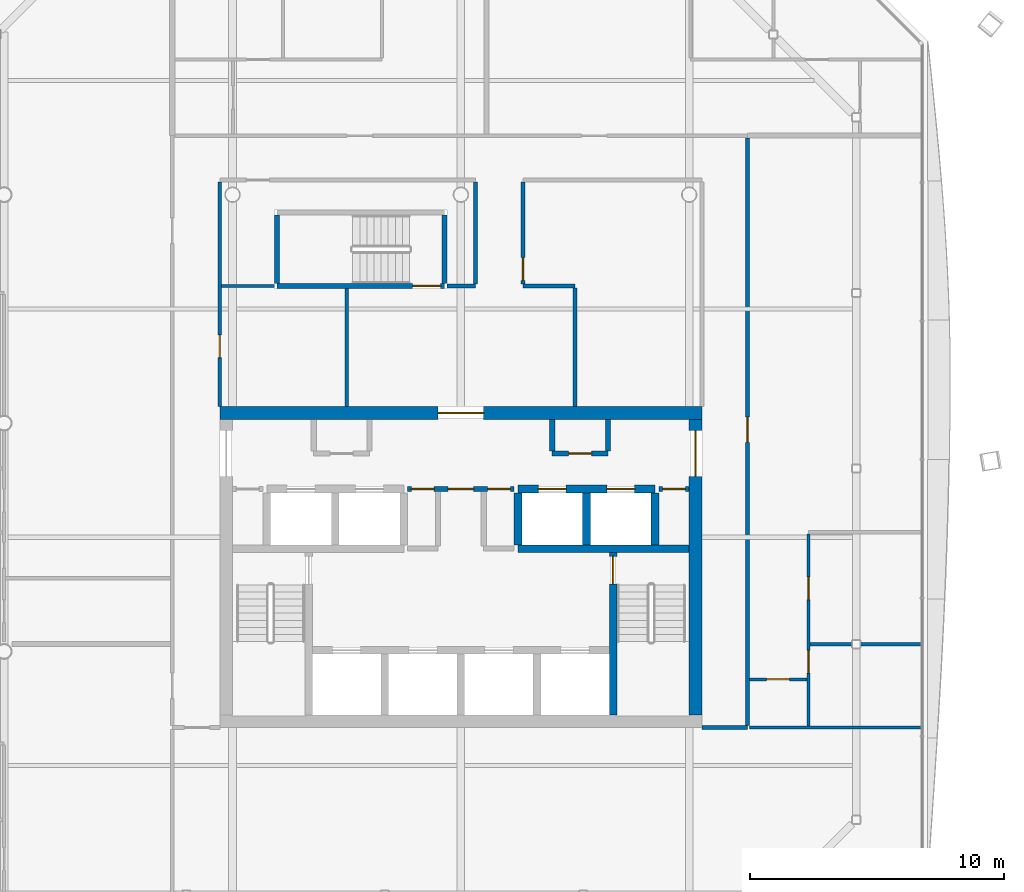
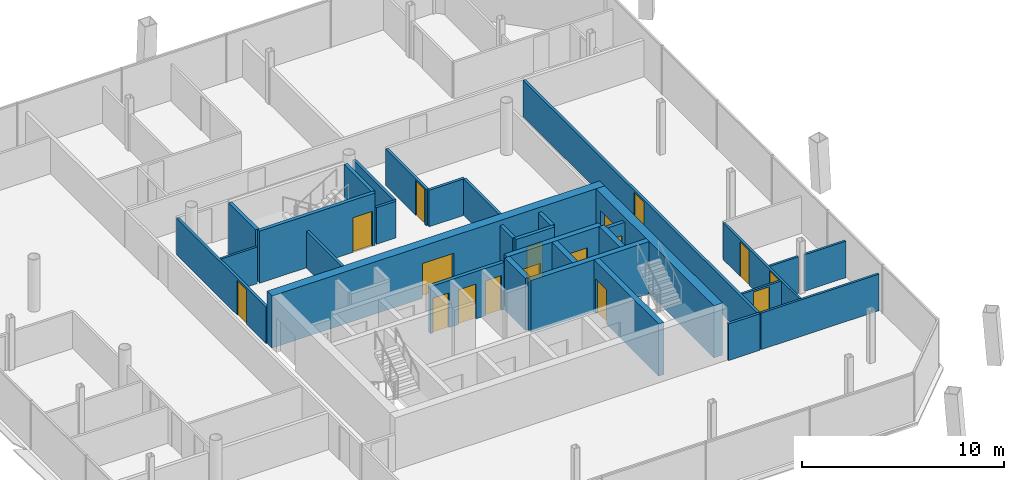
# One storey, part 15 of 20: 31 walls, 17 doors, 17 openings.
"""IFC4 building model written with IfcOpenShell, lengths in metres."""

from ifc_helpers import new_model, si_unit, direction, frame, frame_2d, origin, place, context, subcontext, project, spatial, rectangle, extrude, material, layer, layer_set, type_object, element, fill, save


model = new_model("IFC4")

# Units and contexts
model_context = context("Model", 3, precision=1e-05, world=origin(), true_north=direction((0.0, 1.0)))
body_context = subcontext(model_context, "Body", "Model", "MODEL_VIEW")
ifc_project = project(units=[si_unit("LENGTHUNIT", "METRE"), si_unit("AREAUNIT", "SQUARE_METRE"), si_unit("VOLUMEUNIT", "CUBIC_METRE"), si_unit("PLANEANGLEUNIT", "RADIAN"), si_unit("MASSUNIT", "GRAM", prefix="KILO")], contexts=[model_context])

# Site, building, storey
site_placement = place(None, origin())
site = spatial("IfcSite", under=ifc_project, at=site_placement, CompositionType="ELEMENT")
building_placement = place(site_placement, origin())
building = spatial("IfcBuilding", under=site, at=building_placement, Name="Tskaro Facet Tower", CompositionType="ELEMENT")
storey_placement = place(building_placement, frame((0.0, 0.0, 178.5)))
storey = spatial("IfcBuildingStorey", under=building, at=storey_placement, Name="L44", CompositionType="ELEMENT", Elevation=178.5)

# Wall
ifc_material_1 = material(Name="Concrete C60/75", Category="concrete")
ifc_layer_1 = layer(ifc_material_1, 0.300048828125, Name="Concrete C60/75")
ifc_layer_set_1 = layer_set([ifc_layer_1], Name="Concrete C60/75")
wall_type_1 = type_object("IfcWallType", Name="CORE-SHAFT", PredefinedType="SHEAR", material=ifc_layer_set_1)
wall_1_placement = place(storey_placement, frame((2.25, -4.949951171875, 0.0), z_axis=(0.0, 0.0, 1.0), x_axis=(1.0, 0.0, 0.0)))
element("IfcWall", 1, at=wall_1_placement, inside=storey, type_object=wall_type_1, Name="Shaft wall W019", PredefinedType="SHEAR", context=body_context, shape_type="SweptSolid", body=[
    extrude(rectangle(XDim=6.75, YDim=0.300048828125, at=frame_2d((3.375, 0.0))), origin(), (0.0, 0.0, 1.0), 3.14990234375),
])

# Wall, openings, doors
wall_2_placement = place(storey_placement, frame((2.25, -2.60009765625, 0.0), z_axis=(0.0, 0.0, 1.0), x_axis=(1.0, 0.0, 0.0)))
wall_2 = element("IfcWall", 2, at=wall_2_placement, inside=storey, type_object=wall_type_1, Name="Shaft wall W025", PredefinedType="SHEAR", context=body_context, shape_type="SweptSolid", body=[
    extrude(rectangle(XDim=5.39990234375, YDim=0.300048828125, at=frame_2d((2.699951171875, 0.0))), origin(), (0.0, 0.0, 1.0), 3.14990234375),
])
opening_1_placement = place(wall_2_placement, frame((0.800048828125, 0.0, 0.0)))
opening_1 = element("IfcOpeningElement", 3, at=opening_1_placement, cuts=wall_2, Name="Opening LD-HB3", PredefinedType="OPENING", context=body_context, shape_type="SweptSolid", body=[
    extrude(rectangle(XDim=1.10009765625, YDim=2.10009765625, at=frame_2d((0.550048828125, 1.050048828125))), frame((0.0, 0.159912109375, 0.0), z_axis=(0.0, -1.0, 0.0), x_axis=(1.0, 0.0, 0.0)), (0.0, 0.0, 1.0), 0.320068359375),
])
opening_2_placement = place(wall_2_placement, frame((3.5, 0.0, 0.0)))
opening_2 = element("IfcOpeningElement", 4, at=opening_2_placement, cuts=wall_2, Name="Opening LD-HB4", PredefinedType="OPENING", context=body_context, shape_type="SweptSolid", body=[
    extrude(rectangle(XDim=1.10009765625, YDim=2.10009765625, at=frame_2d((0.550048828125, 1.050048828125))), frame((0.0, 0.159912109375, 0.0), z_axis=(0.0, -1.0, 0.0), x_axis=(1.0, 0.0, 0.0)), (0.0, 0.0, 1.0), 0.320068359375),
])
ifc_material_2 = material(Name="Stainless steel", Category="steel")
door_type_1 = type_object("IfcDoorType", Name="D-LANDING", OperationType="NOTDEFINED", PredefinedType="DOOR", material=ifc_material_2)
door_1_placement = place(opening_1_placement, origin())
door_1 = element("IfcDoor", 5, at=door_1_placement, inside=storey, type_object=door_type_1, Name="Landing door HB3", OperationType="DOUBLE_DOOR_SLIDING", OverallHeight=2.10009765625, OverallWidth=1.10009765625, PredefinedType="DOOR", context=body_context, shape_type="SweptSolid", body=[
    extrude(rectangle(XDim=1.10009765625, YDim=2.10009765625, at=frame_2d((0.550048828125, 1.050048828125))), frame((0.0, 0.02490234375, 0.0), z_axis=(0.0, -1.0, 0.0), x_axis=(1.0, 0.0, 0.0)), (0.0, 0.0, 1.0), 0.050048828125),
])
fill(opening_1, door_1)
door_2_placement = place(opening_2_placement, origin())
door_2 = element("IfcDoor", 6, at=door_2_placement, inside=storey, type_object=door_type_1, Name="Landing door HB4", OperationType="DOUBLE_DOOR_SLIDING", OverallHeight=2.10009765625, OverallWidth=1.10009765625, PredefinedType="DOOR", context=body_context, shape_type="SweptSolid", body=[
    extrude(rectangle(XDim=1.10009765625, YDim=2.10009765625, at=frame_2d((0.550048828125, 1.050048828125))), frame((0.0, 0.02490234375, 0.0), z_axis=(0.0, -1.0, 0.0), x_axis=(1.0, 0.0, 0.0)), (0.0, 0.0, 1.0), 0.050048828125),
])
fill(opening_2, door_2)

# Walls
for number, where, z_axis, x_axis, name in (
    (7, (2.25, -4.800048828125, 0.0), (0.0, 0.0, 1.0), (0.0, 1.0, 0.0), "Shaft wall W074"),
    (8, (4.949951171875, -4.800048828125, 0.0), (0.0, 0.0, 1.0), (0.0, 1.0, 0.0), "Shaft wall W079"),
):
    element("IfcWall", number, at=place(storey_placement, frame(where, z_axis=z_axis, x_axis=x_axis)), inside=storey, type_object=wall_type_1, Name=name, PredefinedType="SHEAR", context=body_context, shape_type="SweptSolid", body=[
        extrude(rectangle(XDim=2.050048828125, YDim=0.300048828125, at=frame_2d((1.02490234375, 0.0))), origin(), (0.0, 0.0, 1.0), 3.14990234375),
    ])

# Wall, opening, door
wall_3_placement = place(storey_placement, frame((6.0, -5.10009765625, 0.0), z_axis=(0.0, 0.0, 1.0), x_axis=(0.0, -1.0, 0.0)))
wall_3 = element("IfcWall", 9, at=wall_3_placement, inside=storey, type_object=wall_type_1, Name="Shaft wall W081", PredefinedType="SHEAR", context=body_context, shape_type="SweptSolid", body=[
    extrude(rectangle(XDim=6.39990234375, YDim=0.300048828125, at=frame_2d((3.199951171875, 0.0))), origin(), (0.0, 0.0, 1.0), 3.14990234375),
])
opening_3_placement = place(wall_3_placement, frame((0.14990234375, 0.0, 0.0)))
opening_3 = element("IfcOpeningElement", 10, at=opening_3_placement, cuts=wall_3, Name="Opening ST-2-D1", PredefinedType="OPENING", context=body_context, shape_type="SweptSolid", body=[
    extrude(rectangle(XDim=1.10009765625, YDim=2.10009765625, at=frame_2d((0.550048828125, 1.050048828125))), frame((0.0, 0.159912109375, 0.0), z_axis=(0.0, -1.0, 0.0), x_axis=(1.0, 0.0, 0.0)), (0.0, 0.0, 1.0), 0.320068359375),
])
ifc_material_3 = material(Name="Steel", Category="steel")
door_type_2 = type_object("IfcDoorType", Name="D-STAIR", OperationType="NOTDEFINED", PredefinedType="DOOR", material=ifc_material_3)
door_3_placement = place(opening_3_placement, origin())
door_3 = element("IfcDoor", 11, at=door_3_placement, inside=storey, type_object=door_type_2, Name="Stair door 2", OperationType="SINGLE_SWING_RIGHT", OverallHeight=2.10009765625, OverallWidth=1.10009765625, PredefinedType="DOOR", context=body_context, shape_type="SweptSolid", body=[
    extrude(rectangle(XDim=1.10009765625, YDim=2.10009765625, at=frame_2d((0.550048828125, 1.050048828125))), frame((0.0, 0.02490234375, 0.0), z_axis=(0.0, -1.0, 0.0), x_axis=(1.0, 0.0, 0.0)), (0.0, 0.0, 1.0), 0.050048828125),
])
fill(opening_3, door_3)

# Wall
wall_4_placement = place(storey_placement, frame((7.64990234375, -4.800048828125, 0.0), z_axis=(0.0, 0.0, 1.0), x_axis=(0.0, 1.0, 0.0)))
element("IfcWall", 12, at=wall_4_placement, inside=storey, type_object=wall_type_1, Name="Shaft wall W082", PredefinedType="SHEAR", context=body_context, shape_type="SweptSolid", body=[
    extrude(rectangle(XDim=2.050048828125, YDim=0.300048828125, at=frame_2d((1.02490234375, 0.0))), origin(), (0.0, 0.0, 1.0), 3.14990234375),
])

# Wall, openings, doors
ifc_material_4 = material(Name="Concrete C20/25", Category="concrete")
ifc_layer_2 = layer(ifc_material_4, 0.199951171875, Name="Concrete C20/25")
ifc_layer_set_2 = layer_set([ifc_layer_2], Name="Concrete C20/25")
wall_type_2 = type_object("IfcWallType", Name="CORE-WALL", PredefinedType="SOLIDWALL", material=ifc_layer_set_2)
wall_5_placement = place(storey_placement, frame((2.10009765625, -2.60009765625, 0.0), z_axis=(0.0, 0.0, 1.0), x_axis=(-1.0, 0.0, 0.0)))
wall_5 = element("IfcWall", 13, at=wall_5_placement, inside=storey, type_object=wall_type_2, Name="Core room wall W024", PredefinedType="SOLIDWALL", context=body_context, shape_type="SweptSolid", body=[
    extrude(rectangle(XDim=4.2001953125, YDim=0.199951171875, at=frame_2d((2.10009765625, 0.0))), origin(), (0.0, 0.0, 1.0), 2.85009765625),
])
opening_4_placement = place(wall_5_placement, frame((1.60009765625, 0.0, 0.0)))
opening_4 = element("IfcOpeningElement", 14, at=opening_4_placement, cuts=wall_5, Name="Opening FL-D1", PredefinedType="OPENING", context=body_context, shape_type="SweptSolid", body=[
    extrude(rectangle(XDim=1.0, YDim=2.10009765625, at=frame_2d((0.5, 1.050048828125))), frame((0.0, 0.10986328125, 0.0), z_axis=(0.0, -1.0, 0.0), x_axis=(1.0, 0.0, 0.0)), (0.0, 0.0, 1.0), 0.219970703125),
])
opening_5_placement = place(wall_5_placement, frame((3.14990234375, 0.0, 0.0)))
opening_5 = element("IfcOpeningElement", 15, at=opening_5_placement, cuts=wall_5, Name="Opening T12-D13", PredefinedType="OPENING", context=body_context, shape_type="SweptSolid", body=[
    extrude(rectangle(XDim=0.89990234375, YDim=2.10009765625, at=frame_2d((0.449951171875, 1.050048828125))), frame((0.0, 0.10986328125, 0.0), z_axis=(0.0, -1.0, 0.0), x_axis=(1.0, 0.0, 0.0)), (0.0, 0.0, 1.0), 0.219970703125),
])
opening_6_placement = place(wall_5_placement, frame((0.14990234375, 0.0, 0.0)))
opening_6 = element("IfcOpeningElement", 16, at=opening_6_placement, cuts=wall_5, Name="Opening T12-D14", PredefinedType="OPENING", context=body_context, shape_type="SweptSolid", body=[
    extrude(rectangle(XDim=0.89990234375, YDim=2.10009765625, at=frame_2d((0.449951171875, 1.050048828125))), frame((0.0, 0.10986328125, 0.0), z_axis=(0.0, -1.0, 0.0), x_axis=(1.0, 0.0, 0.0)), (0.0, 0.0, 1.0), 0.219970703125),
])
door_type_3 = type_object("IfcDoorType", Name="D-LOBBY", OperationType="NOTDEFINED", PredefinedType="DOOR", material=ifc_material_3)
door_4_placement = place(opening_4_placement, origin())
door_4 = element("IfcDoor", 17, at=door_4_placement, inside=storey, type_object=door_type_3, Name="Lobby door FL", OperationType="SINGLE_SWING_RIGHT", OverallHeight=2.10009765625, OverallWidth=1.0, PredefinedType="DOOR", context=body_context, shape_type="SweptSolid", body=[
    extrude(rectangle(XDim=1.0, YDim=2.10009765625, at=frame_2d((0.5, 1.050048828125))), frame((0.0, 0.02490234375, 0.0), z_axis=(0.0, -1.0, 0.0), x_axis=(1.0, 0.0, 0.0)), (0.0, 0.0, 1.0), 0.050048828125),
])
fill(opening_4, door_4)
ifc_material_5 = material(Name="Timber", Category="wood")
door_type_4 = type_object("IfcDoorType", Name="D-ROOM", OperationType="NOTDEFINED", PredefinedType="DOOR", material=ifc_material_5)
door_5_placement = place(opening_5_placement, origin())
door_5 = element("IfcDoor", 18, at=door_5_placement, inside=storey, type_object=door_type_4, Name="Door T12-D13", OperationType="SINGLE_SWING_RIGHT", OverallHeight=2.10009765625, OverallWidth=0.89990234375, PredefinedType="DOOR", context=body_context, shape_type="SweptSolid", body=[
    extrude(rectangle(XDim=0.89990234375, YDim=2.10009765625, at=frame_2d((0.449951171875, 1.050048828125))), frame((0.0, 0.02490234375, 0.0), z_axis=(0.0, -1.0, 0.0), x_axis=(1.0, 0.0, 0.0)), (0.0, 0.0, 1.0), 0.050048828125),
])
fill(opening_5, door_5)
door_6_placement = place(opening_6_placement, origin())
door_6 = element("IfcDoor", 19, at=door_6_placement, inside=storey, type_object=door_type_4, Name="Door T12-D14", OperationType="SINGLE_SWING_RIGHT", OverallHeight=2.10009765625, OverallWidth=0.89990234375, PredefinedType="DOOR", context=body_context, shape_type="SweptSolid", body=[
    extrude(rectangle(XDim=0.89990234375, YDim=2.10009765625, at=frame_2d((0.449951171875, 1.050048828125))), frame((0.0, 0.02490234375, 0.0), z_axis=(0.0, -1.0, 0.0), x_axis=(1.0, 0.0, 0.0)), (0.0, 0.0, 1.0), 0.050048828125),
])
fill(opening_6, door_6)

# Wall, opening, door
wall_6_placement = place(storey_placement, frame((9.0, -2.60009765625, 0.0), z_axis=(0.0, 0.0, 1.0), x_axis=(-1.0, 0.0, 0.0)))
wall_6 = element("IfcWall", 20, at=wall_6_placement, inside=storey, type_object=wall_type_2, Name="Core room wall W026", PredefinedType="SOLIDWALL", context=body_context, shape_type="SweptSolid", body=[
    extrude(rectangle(XDim=1.199951171875, YDim=0.199951171875, at=frame_2d((0.60009765625, 0.0))), origin(), (0.0, 0.0, 1.0), 2.85009765625),
])
opening_7_placement = place(wall_6_placement, frame((0.14990234375, 0.0, 0.0)))
opening_7 = element("IfcOpeningElement", 21, at=opening_7_placement, cuts=wall_6, Name="Opening T12-D15", PredefinedType="OPENING", context=body_context, shape_type="SweptSolid", body=[
    extrude(rectangle(XDim=0.89990234375, YDim=2.10009765625, at=frame_2d((0.449951171875, 1.050048828125))), frame((0.0, 0.10986328125, 0.0), z_axis=(0.0, -1.0, 0.0), x_axis=(1.0, 0.0, 0.0)), (0.0, 0.0, 1.0), 0.219970703125),
])
door_7_placement = place(opening_7_placement, origin())
door_7 = element("IfcDoor", 22, at=door_7_placement, inside=storey, type_object=door_type_4, Name="Door T12-D15", OperationType="SINGLE_SWING_RIGHT", OverallHeight=2.10009765625, OverallWidth=0.89990234375, PredefinedType="DOOR", context=body_context, shape_type="SweptSolid", body=[
    extrude(rectangle(XDim=0.89990234375, YDim=2.10009765625, at=frame_2d((0.449951171875, 1.050048828125))), frame((0.0, 0.02490234375, 0.0), z_axis=(0.0, -1.0, 0.0), x_axis=(1.0, 0.0, 0.0)), (0.0, 0.0, 1.0), 0.050048828125),
])
fill(opening_7, door_7)

wall_7_placement = place(storey_placement, frame((3.60009765625, -1.199951171875, 0.0), z_axis=(0.0, 0.0, 1.0), x_axis=(1.0, 0.0, 0.0)))
wall_7 = element("IfcWall", 23, at=wall_7_placement, inside=storey, type_object=wall_type_2, Name="Core room wall W030", PredefinedType="SOLIDWALL", context=body_context, shape_type="SweptSolid", body=[
    extrude(rectangle(XDim=2.199951171875, YDim=0.199951171875, at=frame_2d((1.10009765625, 0.0))), origin(), (0.0, 0.0, 1.0), 2.85009765625),
])
opening_8_placement = place(wall_7_placement, frame((0.64990234375, 0.0, 0.0)))
opening_8 = element("IfcOpeningElement", 24, at=opening_8_placement, cuts=wall_7, Name="Opening T12-D18", PredefinedType="OPENING", context=body_context, shape_type="SweptSolid", body=[
    extrude(rectangle(XDim=0.89990234375, YDim=2.10009765625, at=frame_2d((0.449951171875, 1.050048828125))), frame((0.0, 0.10986328125, 0.0), z_axis=(0.0, -1.0, 0.0), x_axis=(1.0, 0.0, 0.0)), (0.0, 0.0, 1.0), 0.219970703125),
])
door_8_placement = place(opening_8_placement, origin())
door_8 = element("IfcDoor", 25, at=door_8_placement, inside=storey, type_object=door_type_4, Name="Door T12-D18", OperationType="SINGLE_SWING_LEFT", OverallHeight=2.10009765625, OverallWidth=0.89990234375, PredefinedType="DOOR", context=body_context, shape_type="SweptSolid", body=[
    extrude(rectangle(XDim=0.89990234375, YDim=2.10009765625, at=frame_2d((0.449951171875, 1.050048828125))), frame((0.0, 0.02490234375, 0.0), z_axis=(0.0, -1.0, 0.0), x_axis=(1.0, 0.0, 0.0)), (0.0, 0.0, 1.0), 0.050048828125),
])
fill(opening_8, door_8)

# Walls
for number, where, z_axis, x_axis, name in (
    (26, (3.60009765625, -1.10009765625, 0.0), (0.0, 0.0, 1.0), (0.0, 1.0, 0.0), "Core room wall W077"),
    (27, (5.800048828125, -1.10009765625, 0.0), (0.0, 0.0, 1.0), (0.0, 1.0, 0.0), "Core room wall W080"),
):
    element("IfcWall", number, at=place(storey_placement, frame(where, z_axis=z_axis, x_axis=x_axis)), inside=storey, type_object=wall_type_2, Name=name, PredefinedType="SOLIDWALL", context=body_context, shape_type="SweptSolid", body=[
        extrude(rectangle(XDim=1.25, YDim=0.199951171875, at=frame_2d((0.625, 0.0))), origin(), (0.0, 0.0, 1.0), 2.85009765625),
    ])

# Wall, opening, door
ifc_material_6 = material(Name="Concrete C40/50", Category="concrete")
ifc_layer_3 = layer(ifc_material_6, 0.5, Name="Concrete C40/50")
ifc_layer_set_3 = layer_set([ifc_layer_3], Name="Concrete C40/50")
wall_type_3 = type_object("IfcWallType", Name="Core wall 500", PredefinedType="SHEAR", material=ifc_layer_set_3)
wall_8_placement = place(storey_placement, frame((-9.5, 0.39990234375, 0.0), z_axis=(0.0, 0.0, 1.0), x_axis=(1.0, 0.0, 0.0)))
wall_8 = element("IfcWall", 28, at=wall_8_placement, inside=storey, type_object=wall_type_3, Name="Core wall CW-Z3N", PredefinedType="SHEAR", context=body_context, shape_type="SweptSolid", body=[
    extrude(rectangle(XDim=19.0, YDim=0.5, at=frame_2d((9.5, 0.0))), origin(), (0.0, 0.0, 1.0), 3.14990234375),
])
opening_9_placement = place(wall_8_placement, frame((8.60009765625, 0.0, 0.0)))
opening_9 = element("IfcOpeningElement", 29, at=opening_9_placement, cuts=wall_8, Name="Opening T12-D21", PredefinedType="OPENING", context=body_context, shape_type="SweptSolid", body=[
    extrude(rectangle(XDim=1.800048828125, YDim=2.10009765625, at=frame_2d((0.89990234375, 1.050048828125))), frame((0.0, 0.260009765625, 0.0), z_axis=(0.0, -1.0, 0.0), x_axis=(1.0, 0.0, 0.0)), (0.0, 0.0, 1.0), 0.52001953125),
])
door_type_5 = type_object("IfcDoorType", Name="D-CORE-PAIR", OperationType="NOTDEFINED", PredefinedType="DOOR", material=ifc_material_3)
door_9_placement = place(opening_9_placement, origin())
door_9 = element("IfcDoor", 30, at=door_9_placement, inside=storey, type_object=door_type_5, Name="Door T12-D21", OperationType="DOUBLE_DOOR_SINGLE_SWING", OverallHeight=2.10009765625, OverallWidth=1.800048828125, PredefinedType="DOOR", context=body_context, shape_type="SweptSolid", body=[
    extrude(rectangle(XDim=1.800048828125, YDim=2.10009765625, at=frame_2d((0.89990234375, 1.050048828125))), frame((0.0, 0.02490234375, 0.0), z_axis=(0.0, -1.0, 0.0), x_axis=(1.0, 0.0, 0.0)), (0.0, 0.0, 1.0), 0.050048828125),
])
fill(opening_9, door_9)

wall_9_placement = place(storey_placement, frame((9.25, -11.5, 0.0), z_axis=(0.0, 0.0, 1.0), x_axis=(0.0, 1.0, 0.0)))
wall_9 = element("IfcWall", 31, at=wall_9_placement, inside=storey, type_object=wall_type_3, Name="Core wall CW-Z3E", PredefinedType="SHEAR", context=body_context, shape_type="SweptSolid", body=[
    extrude(rectangle(XDim=11.64990234375, YDim=0.5, at=frame_2d((5.824951171875, 0.0))), origin(), (0.0, 0.0, 1.0), 3.14990234375),
])
opening_10_placement = place(wall_9_placement, frame((9.39990234375, 0.0, 0.0)))
opening_10 = element("IfcOpeningElement", 32, at=opening_10_placement, cuts=wall_9, Name="Opening T12-D19", PredefinedType="OPENING", context=body_context, shape_type="SweptSolid", body=[
    extrude(rectangle(XDim=1.800048828125, YDim=2.10009765625, at=frame_2d((0.89990234375, 1.050048828125))), frame((0.0, 0.260009765625, 0.0), z_axis=(0.0, -1.0, 0.0), x_axis=(1.0, 0.0, 0.0)), (0.0, 0.0, 1.0), 0.52001953125),
])
door_10_placement = place(opening_10_placement, origin())
door_10 = element("IfcDoor", 33, at=door_10_placement, inside=storey, type_object=door_type_5, Name="Door T12-D19", OperationType="DOUBLE_DOOR_SINGLE_SWING", OverallHeight=2.10009765625, OverallWidth=1.800048828125, PredefinedType="DOOR", context=body_context, shape_type="SweptSolid", body=[
    extrude(rectangle(XDim=1.800048828125, YDim=2.10009765625, at=frame_2d((0.89990234375, 1.050048828125))), frame((0.0, 0.02490234375, 0.0), z_axis=(0.0, -1.0, 0.0), x_axis=(1.0, 0.0, 0.0)), (0.0, 0.0, 1.0), 0.050048828125),
])
fill(opening_10, door_10)

# Wall
ifc_material_7 = material(Name="Gypsum board on steel studs", Category="steel")
ifc_layer_4 = layer(ifc_material_7, 0.125, Name="Gypsum board on steel studs")
ifc_layer_set_4 = layer_set([ifc_layer_4], Name="Gypsum board on steel studs")
wall_type_4 = type_object("IfcWallType", Name="PART", PredefinedType="PARTITIONING", material=ifc_layer_set_4)
wall_10_placement = place(storey_placement, frame((11.375, -12.0, 0.0), z_axis=(0.0, 0.0, 1.0), x_axis=(1.0, 0.0, 0.0)))
element("IfcWall", 34, at=wall_10_placement, inside=storey, type_object=wall_type_4, Name="Partition W007", PredefinedType="PARTITIONING", context=body_context, shape_type="SweptSolid", body=[
    extrude(rectangle(XDim=6.75, YDim=0.125, at=frame_2d((3.375, 0.0))), origin(), (0.0, 0.0, 1.0), 2.2099609375),
])

# Wall, opening, door
wall_11_placement = place(storey_placement, frame((13.637451171875, -10.10009765625, 0.0), z_axis=(0.0, 0.0, 1.0), x_axis=(-1.0, 0.0, 0.0)))
wall_11 = element("IfcWall", 35, at=wall_11_placement, inside=storey, type_object=wall_type_4, Name="Partition W008", PredefinedType="PARTITIONING", context=body_context, shape_type="SweptSolid", body=[
    extrude(rectangle(XDim=2.262451171875, YDim=0.125, at=frame_2d((1.13134765625, 0.0))), origin(), (0.0, 0.0, 1.0), 2.2099609375),
])
opening_11_placement = place(wall_11_placement, frame((0.6875, 0.0, 0.0)))
opening_11 = element("IfcOpeningElement", 36, at=opening_11_placement, cuts=wall_11, Name="Opening T12-D06", PredefinedType="OPENING", context=body_context, shape_type="SweptSolid", body=[
    extrude(rectangle(XDim=0.89990234375, YDim=2.10009765625, at=frame_2d((0.449951171875, 1.050048828125))), frame((0.0, 0.072509765625, 0.0), z_axis=(0.0, -1.0, 0.0), x_axis=(1.0, 0.0, 0.0)), (0.0, 0.0, 1.0), 0.14501953125),
])
door_11_placement = place(opening_11_placement, origin())
door_11 = element("IfcDoor", 37, at=door_11_placement, inside=storey, type_object=door_type_4, Name="Door T12-D06", OperationType="SINGLE_SWING_RIGHT", OverallHeight=2.10009765625, OverallWidth=0.89990234375, PredefinedType="DOOR", context=body_context, shape_type="SweptSolid", body=[
    extrude(rectangle(XDim=0.89990234375, YDim=2.10009765625, at=frame_2d((0.449951171875, 1.050048828125))), frame((0.0, 0.02490234375, 0.0), z_axis=(0.0, -1.0, 0.0), x_axis=(1.0, 0.0, 0.0)), (0.0, 0.0, 1.0), 0.050048828125),
])
fill(opening_11, door_11)

# Walls
wall_12_placement = place(storey_placement, frame((13.762451171875, -8.715087890625, 0.0), z_axis=(0.0, 0.0, 1.0), x_axis=(1.0, 0.0, 0.0)))
element("IfcWall", 38, at=wall_12_placement, inside=storey, type_object=wall_type_4, Name="Partition W013", PredefinedType="PARTITIONING", context=body_context, shape_type="SweptSolid", body=[
    extrude(rectangle(XDim=1.6455078125, YDim=0.125, at=frame_2d((0.82275390625, 0.0))), origin(), (0.0, 0.0, 1.0), 2.2099609375),
])
wall_13_placement = place(storey_placement, frame((15.758056640625, -8.715087890625, 0.0), z_axis=(0.0, 0.0, 1.0), x_axis=(1.0, 0.0, 0.0)))
element("IfcWall", 39, at=wall_13_placement, inside=storey, type_object=wall_type_4, Name="Partition W014", PredefinedType="PARTITIONING", context=body_context, shape_type="SweptSolid", body=[
    extrude(rectangle(XDim=2.366943359375, YDim=0.125, at=frame_2d((1.18359375, 0.0))), origin(), (0.0, 0.0, 1.0), 2.2099609375),
])
wall_14_placement = place(storey_placement, frame((-9.425048828125, 5.39990234375, 0.0), z_axis=(0.0, 0.0, 1.0), x_axis=(1.0, 0.0, 0.0)))
element("IfcWall", 40, at=wall_14_placement, inside=storey, type_object=wall_type_4, Name="Partition W033", PredefinedType="PARTITIONING", context=body_context, shape_type="SweptSolid", body=[
    extrude(rectangle(XDim=2.074951171875, YDim=0.125, at=frame_2d((1.03759765625, 0.0))), origin(), (0.0, 0.0, 1.0), 2.2099609375),
])

# Wall, openings, doors
wall_15_placement = place(storey_placement, frame((13.699951171875, -4.362548828125, 0.0), z_axis=(0.0, 0.0, 1.0), x_axis=(0.0, -1.0, 0.0)))
wall_15 = element("IfcWall", 41, at=wall_15_placement, inside=storey, type_object=wall_type_4, Name="Partition W089", PredefinedType="PARTITIONING", context=body_context, shape_type="SweptSolid", body=[
    extrude(rectangle(XDim=7.574951171875, YDim=0.125, at=frame_2d((3.78759765625, 0.0))), origin(), (0.0, 0.0, 1.0), 2.2099609375),
])
opening_12_placement = place(wall_15_placement, frame((4.594970703125, 0.0, 0.0)))
opening_12 = element("IfcOpeningElement", 42, at=opening_12_placement, cuts=wall_15, Name="Opening T12-D07", PredefinedType="OPENING", context=body_context, shape_type="SweptSolid", body=[
    extrude(rectangle(XDim=0.89990234375, YDim=2.10009765625, at=frame_2d((0.449951171875, 1.050048828125))), frame((0.0, 0.072509765625, 0.0), z_axis=(0.0, -1.0, 0.0), x_axis=(1.0, 0.0, 0.0)), (0.0, 0.0, 1.0), 0.14501953125),
])
opening_13_placement = place(wall_15_placement, frame((1.695068359375, 0.0, 0.0)))
opening_13 = element("IfcOpeningElement", 43, at=opening_13_placement, cuts=wall_15, Name="Opening T12-D09", PredefinedType="OPENING", context=body_context, shape_type="SweptSolid", body=[
    extrude(rectangle(XDim=0.89990234375, YDim=2.10009765625, at=frame_2d((0.449951171875, 1.050048828125))), frame((0.0, 0.072509765625, 0.0), z_axis=(0.0, -1.0, 0.0), x_axis=(1.0, 0.0, 0.0)), (0.0, 0.0, 1.0), 0.14501953125),
])
door_12_placement = place(opening_12_placement, origin())
door_12 = element("IfcDoor", 44, at=door_12_placement, inside=storey, type_object=door_type_4, Name="Door T12-D07", OperationType="SINGLE_SWING_LEFT", OverallHeight=2.10009765625, OverallWidth=0.89990234375, PredefinedType="DOOR", context=body_context, shape_type="SweptSolid", body=[
    extrude(rectangle(XDim=0.89990234375, YDim=2.10009765625, at=frame_2d((0.449951171875, 1.050048828125))), frame((0.0, 0.02490234375, 0.0), z_axis=(0.0, -1.0, 0.0), x_axis=(1.0, 0.0, 0.0)), (0.0, 0.0, 1.0), 0.050048828125),
])
fill(opening_12, door_12)
door_13_placement = place(opening_13_placement, origin())
door_13 = element("IfcDoor", 45, at=door_13_placement, inside=storey, type_object=door_type_4, Name="Door T12-D09", OperationType="SINGLE_SWING_RIGHT", OverallHeight=2.10009765625, OverallWidth=0.89990234375, PredefinedType="DOOR", context=body_context, shape_type="SweptSolid", body=[
    extrude(rectangle(XDim=0.89990234375, YDim=2.10009765625, at=frame_2d((0.449951171875, 1.050048828125))), frame((0.0, 0.02490234375, 0.0), z_axis=(0.0, -1.0, 0.0), x_axis=(1.0, 0.0, 0.0)), (0.0, 0.0, 1.0), 0.050048828125),
])
fill(opening_13, door_13)

# Walls
ifc_layer_5 = layer(ifc_material_7, 0.14990234375, Name="Gypsum board on steel studs")
ifc_layer_set_5 = layer_set([ifc_layer_5], Name="Gypsum board on steel studs")
wall_type_5 = type_object("IfcWallType", Name="PART-CORR", PredefinedType="PARTITIONING", material=ifc_layer_set_5)
wall_16_placement = place(storey_placement, frame((9.5, -12.0, 0.0), z_axis=(0.0, 0.0, 1.0), x_axis=(1.0, 0.0, 0.0)))
element("IfcWall", 46, at=wall_16_placement, inside=storey, type_object=wall_type_5, Name="Corridor wall W006", PredefinedType="PARTITIONING", context=body_context, shape_type="SweptSolid", body=[
    extrude(rectangle(XDim=1.800048828125, YDim=0.14990234375, at=frame_2d((0.89990234375, 0.0))), origin(), (0.0, 0.0, 1.0), 2.2099609375),
])
wall_17_placement = place(storey_placement, frame((-0.550048828125, 5.39990234375, 0.0), z_axis=(0.0, 0.0, 1.0), x_axis=(1.0, 0.0, 0.0)))
element("IfcWall", 47, at=wall_17_placement, inside=storey, type_object=wall_type_5, Name="Corridor wall W035", PredefinedType="PARTITIONING", context=body_context, shape_type="SweptSolid", body=[
    extrude(rectangle(XDim=1.125, YDim=0.14990234375, at=frame_2d((0.5625, 0.0))), origin(), (0.0, 0.0, 1.0), 2.2099609375),
])
wall_18_placement = place(storey_placement, frame((2.449951171875, 5.39990234375, 0.0), z_axis=(0.0, 0.0, 1.0), x_axis=(1.0, 0.0, 0.0)))
element("IfcWall", 48, at=wall_18_placement, inside=storey, type_object=wall_type_5, Name="Corridor wall W036", PredefinedType="PARTITIONING", context=body_context, shape_type="SweptSolid", body=[
    extrude(rectangle(XDim=2.050048828125, YDim=0.14990234375, at=frame_2d((1.02490234375, 0.0))), origin(), (0.0, 0.0, 1.0), 2.2099609375),
])

# Wall, opening, door
wall_19_placement = place(storey_placement, frame((-9.5, 9.5, 0.0), z_axis=(0.0, 0.0, 1.0), x_axis=(0.0, -1.0, 0.0)))
wall_19 = element("IfcWall", 49, at=wall_19_placement, inside=storey, type_object=wall_type_5, Name="Corridor wall W053", PredefinedType="PARTITIONING", context=body_context, shape_type="SweptSolid", body=[
    extrude(rectangle(XDim=8.85009765625, YDim=0.14990234375, at=frame_2d((4.425048828125, 0.0))), origin(), (0.0, 0.0, 1.0), 2.2099609375),
])
opening_14_placement = place(wall_19_placement, frame((6.02490234375, 0.0, 0.0)))
opening_14 = element("IfcOpeningElement", 50, at=opening_14_placement, cuts=wall_19, Name="Opening T12-D22", PredefinedType="OPENING", context=body_context, shape_type="SweptSolid", body=[
    extrude(rectangle(XDim=0.89990234375, YDim=2.10009765625, at=frame_2d((0.449951171875, 1.050048828125))), frame((0.0, 0.0849609375, 0.0), z_axis=(0.0, -1.0, 0.0), x_axis=(1.0, 0.0, 0.0)), (0.0, 0.0, 1.0), 0.169921875),
])
door_14_placement = place(opening_14_placement, origin())
door_14 = element("IfcDoor", 51, at=door_14_placement, inside=storey, type_object=door_type_4, Name="Door T12-D22", OperationType="SINGLE_SWING_RIGHT", OverallHeight=2.10009765625, OverallWidth=0.89990234375, PredefinedType="DOOR", context=body_context, shape_type="SweptSolid", body=[
    extrude(rectangle(XDim=0.89990234375, YDim=2.10009765625, at=frame_2d((0.449951171875, 1.050048828125))), frame((0.0, 0.02490234375, 0.0), z_axis=(0.0, -1.0, 0.0), x_axis=(1.0, 0.0, 0.0)), (0.0, 0.0, 1.0), 0.050048828125),
])
fill(opening_14, door_14)

# Walls
wall_20_placement = place(storey_placement, frame((-4.5, 0.64990234375, 0.0), z_axis=(0.0, 0.0, 1.0), x_axis=(0.0, 1.0, 0.0)))
element("IfcWall", 52, at=wall_20_placement, inside=storey, type_object=wall_type_5, Name="Corridor wall W062", PredefinedType="PARTITIONING", context=body_context, shape_type="SweptSolid", body=[
    extrude(rectangle(XDim=4.650146484375, YDim=0.14990234375, at=frame_2d((2.3251953125, 0.0))), origin(), (0.0, 0.0, 1.0), 2.2099609375),
])
wall_21_placement = place(storey_placement, frame((0.574951171875, 5.47509765625, 0.0), z_axis=(0.0, 0.0, 1.0), x_axis=(0.0, 1.0, 0.0)))
element("IfcWall", 53, at=wall_21_placement, inside=storey, type_object=wall_type_5, Name="Corridor wall W070", PredefinedType="PARTITIONING", context=body_context, shape_type="SweptSolid", body=[
    extrude(rectangle(XDim=4.02490234375, YDim=0.14990234375, at=frame_2d((2.012451171875, 0.0))), origin(), (0.0, 0.0, 1.0), 2.2099609375),
])

# Wall, opening, door
wall_22_placement = place(storey_placement, frame((2.449951171875, 9.5, 0.0), z_axis=(0.0, 0.0, 1.0), x_axis=(0.0, -1.0, 0.0)))
wall_22 = element("IfcWall", 54, at=wall_22_placement, inside=storey, type_object=wall_type_5, Name="Corridor wall W075", PredefinedType="PARTITIONING", context=body_context, shape_type="SweptSolid", body=[
    extrude(rectangle(XDim=4.02490234375, YDim=0.14990234375, at=frame_2d((2.012451171875, 0.0))), origin(), (0.0, 0.0, 1.0), 2.2099609375),
])
opening_15_placement = place(wall_22_placement, frame((2.97509765625, 0.0, 0.0)))
opening_15 = element("IfcOpeningElement", 55, at=opening_15_placement, cuts=wall_22, Name="Opening T12-D24", PredefinedType="OPENING", context=body_context, shape_type="SweptSolid", body=[
    extrude(rectangle(XDim=0.89990234375, YDim=2.10009765625, at=frame_2d((0.449951171875, 1.050048828125))), frame((0.0, 0.0849609375, 0.0), z_axis=(0.0, -1.0, 0.0), x_axis=(1.0, 0.0, 0.0)), (0.0, 0.0, 1.0), 0.169921875),
])
door_15_placement = place(opening_15_placement, origin())
door_15 = element("IfcDoor", 56, at=door_15_placement, inside=storey, type_object=door_type_4, Name="Door T12-D24", OperationType="SINGLE_SWING_RIGHT", OverallHeight=2.10009765625, OverallWidth=0.89990234375, PredefinedType="DOOR", context=body_context, shape_type="SweptSolid", body=[
    extrude(rectangle(XDim=0.89990234375, YDim=2.10009765625, at=frame_2d((0.449951171875, 1.050048828125))), frame((0.0, 0.02490234375, 0.0), z_axis=(0.0, -1.0, 0.0), x_axis=(1.0, 0.0, 0.0)), (0.0, 0.0, 1.0), 0.050048828125),
])
fill(opening_15, door_15)

# Wall
wall_23_placement = place(storey_placement, frame((4.5, 0.64990234375, 0.0), z_axis=(0.0, 0.0, 1.0), x_axis=(0.0, 1.0, 0.0)))
element("IfcWall", 57, at=wall_23_placement, inside=storey, type_object=wall_type_5, Name="Corridor wall W078", PredefinedType="PARTITIONING", context=body_context, shape_type="SweptSolid", body=[
    extrude(rectangle(XDim=4.675048828125, YDim=0.14990234375, at=frame_2d((2.33740234375, 0.0))), origin(), (0.0, 0.0, 1.0), 2.2099609375),
])

# Wall, opening, door
wall_24_placement = place(storey_placement, frame((11.300048828125, 11.22509765625, 0.0), z_axis=(0.0, 0.0, 1.0), x_axis=(0.0, -1.0, 0.0)))
wall_24 = element("IfcWall", 58, at=wall_24_placement, inside=storey, type_object=wall_type_5, Name="Corridor wall W086", PredefinedType="PARTITIONING", context=body_context, shape_type="SweptSolid", body=[
    extrude(rectangle(XDim=23.150146484375, YDim=0.14990234375, at=frame_2d((11.5751953125, 0.0))), origin(), (0.0, 0.0, 1.0), 2.2099609375),
])
opening_16_placement = place(wall_24_placement, frame((10.987548828125, 0.0, 0.0)))
opening_16 = element("IfcOpeningElement", 59, at=opening_16_placement, cuts=wall_24, Name="Opening T12-D20", PredefinedType="OPENING", context=body_context, shape_type="SweptSolid", body=[
    extrude(rectangle(XDim=1.0, YDim=2.10009765625, at=frame_2d((0.5, 1.050048828125))), frame((0.0, 0.0849609375, 0.0), z_axis=(0.0, -1.0, 0.0), x_axis=(1.0, 0.0, 0.0)), (0.0, 0.0, 1.0), 0.169921875),
])
door_type_6 = type_object("IfcDoorType", Name="D-FLAT-ENTRY", OperationType="NOTDEFINED", PredefinedType="DOOR", material=ifc_material_5)
door_16_placement = place(opening_16_placement, origin())
door_16 = element("IfcDoor", 60, at=door_16_placement, inside=storey, type_object=door_type_6, Name="Door T12-D20", OperationType="SINGLE_SWING_RIGHT", OverallHeight=2.10009765625, OverallWidth=1.0, PredefinedType="DOOR", context=body_context, shape_type="SweptSolid", body=[
    extrude(rectangle(XDim=1.0, YDim=2.10009765625, at=frame_2d((0.5, 1.050048828125))), frame((0.0, 0.02490234375, 0.0), z_axis=(0.0, -1.0, 0.0), x_axis=(1.0, 0.0, 0.0)), (0.0, 0.0, 1.0), 0.050048828125),
])
fill(opening_16, door_16)

ifc_layer_6 = layer(ifc_material_1, 0.199951171875, Name="Concrete C60/75")
ifc_layer_set_6 = layer_set([ifc_layer_6], Name="Concrete C60/75")
wall_type_6 = type_object("IfcWallType", Name="STAIR-WALL", PredefinedType="SHEAR", material=ifc_layer_set_6)
wall_25_placement = place(storey_placement, frame((-7.25, 5.39990234375, 0.0), z_axis=(0.0, 0.0, 1.0), x_axis=(1.0, 0.0, 0.0)))
wall_25 = element("IfcWall", 61, at=wall_25_placement, inside=storey, type_object=wall_type_6, Name="Stair wall W034", PredefinedType="SHEAR", context=body_context, shape_type="SweptSolid", body=[
    extrude(rectangle(XDim=6.60009765625, YDim=0.199951171875, at=frame_2d((3.300048828125, 0.0))), origin(), (0.0, 0.0, 1.0), 3.14990234375),
])
opening_17_placement = place(wall_25_placement, frame((5.35009765625, 0.0, 0.0)))
opening_17 = element("IfcOpeningElement", 62, at=opening_17_placement, cuts=wall_25, Name="Opening ST-3-D1", PredefinedType="OPENING", context=body_context, shape_type="SweptSolid", body=[
    extrude(rectangle(XDim=1.10009765625, YDim=2.10009765625, at=frame_2d((0.550048828125, 1.050048828125))), frame((0.0, 0.10986328125, 0.0), z_axis=(0.0, -1.0, 0.0), x_axis=(1.0, 0.0, 0.0)), (0.0, 0.0, 1.0), 0.219970703125),
])
door_17_placement = place(opening_17_placement, origin())
door_17 = element("IfcDoor", 63, at=door_17_placement, inside=storey, type_object=door_type_2, Name="Stair door 3", OperationType="SINGLE_SWING_LEFT", OverallHeight=2.10009765625, OverallWidth=1.10009765625, PredefinedType="DOOR", context=body_context, shape_type="SweptSolid", body=[
    extrude(rectangle(XDim=1.10009765625, YDim=2.10009765625, at=frame_2d((0.550048828125, 1.050048828125))), frame((0.0, 0.02490234375, 0.0), z_axis=(0.0, -1.0, 0.0), x_axis=(1.0, 0.0, 0.0)), (0.0, 0.0, 1.0), 0.050048828125),
])
fill(opening_17, door_17)

# Walls
for number, where, z_axis, x_axis, name in (
    (64, (-7.25, 5.5, 0.0), (0.0, 0.0, 1.0), (0.0, 1.0, 0.0), "Stair wall W056"),
    (65, (-0.64990234375, 5.5, 0.0), (0.0, 0.0, 1.0), (0.0, 1.0, 0.0), "Stair wall W068"),
):
    element("IfcWall", number, at=place(storey_placement, frame(where, z_axis=z_axis, x_axis=x_axis)), inside=storey, type_object=wall_type_6, Name=name, PredefinedType="SHEAR", context=body_context, shape_type="SweptSolid", body=[
        extrude(rectangle(XDim=2.699951171875, YDim=0.199951171875, at=frame_2d((1.35009765625, 0.0))), origin(), (0.0, 0.0, 1.0), 3.14990234375),
    ])

save(model, "model.ifc")
